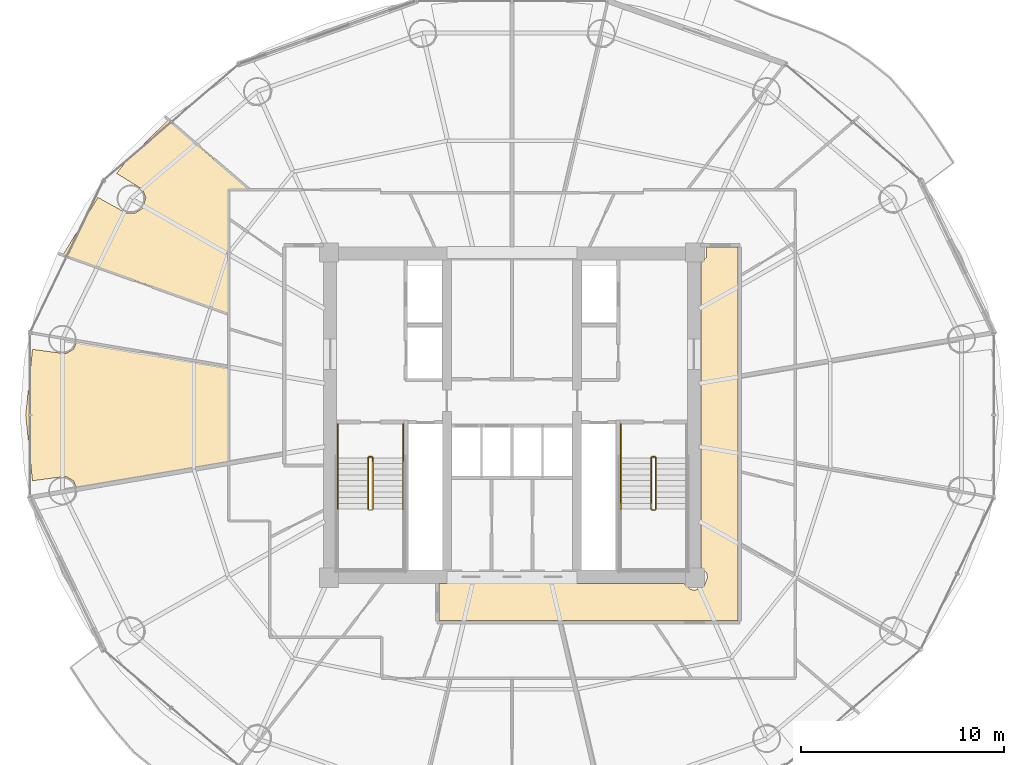
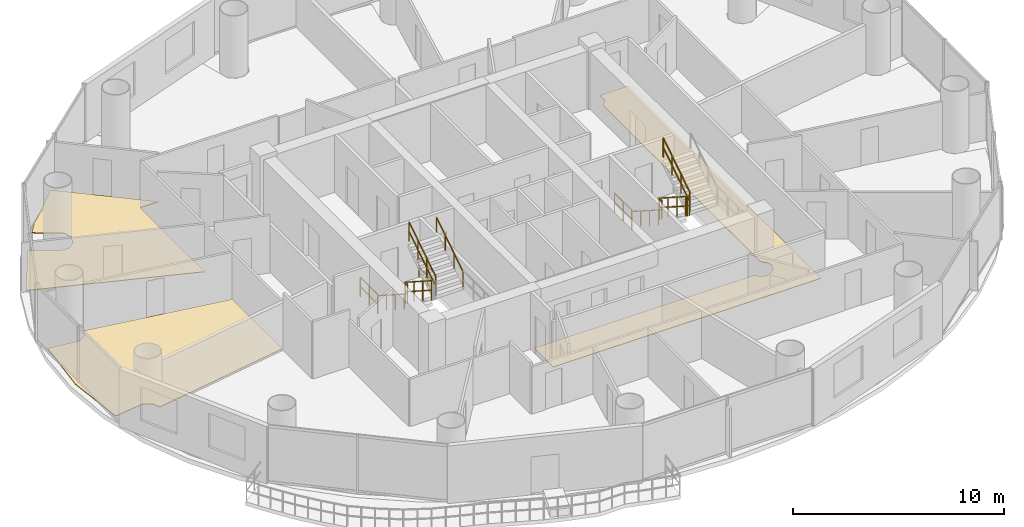
# One storey, part 25 of 26: 13 railings, 3 coverings.
"""IFC4 building model written with IfcOpenShell, lengths in metres."""

from ifc_helpers import new_model, si_unit, direction, frame, origin, origin_2d, place, context, subcontext, project, spatial, polyline, rectangle, outline, extrude, material, layer, layer_set, type_object, element, save


model = new_model("IFC4")

# Units and contexts
model_context = context("Model", 3, precision=1e-05, world=origin(), true_north=direction((-0.2419218956, 0.970295726276)))
body_context = subcontext(model_context, "Body", "Model", "MODEL_VIEW")
ifc_project = project(units=[si_unit("LENGTHUNIT", "METRE"), si_unit("AREAUNIT", "SQUARE_METRE"), si_unit("VOLUMEUNIT", "CUBIC_METRE"), si_unit("PLANEANGLEUNIT", "RADIAN"), si_unit("MASSUNIT", "GRAM", prefix="KILO")], contexts=[model_context])

# Site, building, storey
site_placement = place(None, origin())
site = spatial("IfcSite", under=ifc_project, at=site_placement, CompositionType="ELEMENT")
building_placement = place(site_placement, origin())
building = spatial("IfcBuilding", under=site, at=building_placement, Name="Cobrevalo Terracotta Tower", CompositionType="ELEMENT")
storey_placement = place(building_placement, frame((0.0, 0.0, 135.39990234375)))
storey = spatial("IfcBuildingStorey", under=building, at=storey_placement, Name="L35", CompositionType="ELEMENT", Elevation=135.39990234375)

# Coverings
ifc_material_1 = material(Name="Engineered Brazilian hardwood flooring", Category="wood")
ifc_layer_1 = layer(ifc_material_1, 0.028076171875)
ifc_layer_set_1 = layer_set([ifc_layer_1], Name="Engineered Brazilian hardwood flooring")
covering_type_1 = type_object("IfcCoveringType", Name="Engineered Hardwood Suite Flooring 28", PredefinedType="FLOORING", material=ifc_layer_set_1)
covering_1_placement = place(storey_placement, origin())
element("IfcCovering", 1, at=covering_1_placement, inside=storey, type_object=covering_type_1, Name="Flat L35B Master Bedroom floor finish", PredefinedType="FLOORING", context=body_context, shape_type="SweptSolid", body=[
    extrude(outline(polyline([(17.632568359375, 37.50634765625), (19.017822265625, 36.736572265625), (19.447265625, 36.725830078125), (19.810302734375, 36.955322265625), (19.988525390625, 37.4931640625), (19.834228515625, 37.89404296875), (18.551513671875, 38.6865234375), (19.02197265625, 39.29052734375), (21.0888671875, 41.308837890625), (25.049072265625, 37.905029296875), (24.044921875, 37.905029296875), (24.044921875, 31.78955078125), (15.918212890625, 34.6826171875), (17.632568359375, 37.50634765625)])), origin(), (0.0, 0.0, 1.0), 0.030029296875),
])
covering_2_placement = place(storey_placement, origin())
element("IfcCovering", 2, at=covering_2_placement, inside=storey, type_object=covering_type_1, Name="Flat L35B Penthouse Family Lounge floor finish", PredefinedType="FLOORING", context=body_context, shape_type="SweptSolid", body=[
    extrude(outline(polyline([(14.41357421875, 30.03369140625), (16.048583984375, 29.814697265625), (16.421630859375, 30.028076171875), (16.611572265625, 30.436279296875), (24.044921875, 29.16552734375), (24.044921875, 24.4345703125), (16.611572265625, 23.16357421875), (16.421630859375, 23.572021484375), (16.048583984375, 23.785400390625), (14.41357421875, 23.566162109375), (14.080078125, 26.800048828125), (14.41357421875, 30.03369140625)])), origin(), (0.0, 0.0, 1.0), 0.030029296875),
])
ifc_material_2 = material(Name="Honed terracotta and granite tile", Category="masonry")
ifc_layer_2 = layer(ifc_material_2, 0.034912109375)
ifc_layer_set_2 = layer_set([ifc_layer_2], Name="Honed terracotta and granite tile")
covering_type_2 = type_object("IfcCoveringType", Name="Honed Terracotta & Granite Interior Flooring 35", PredefinedType="FLOORING", material=ifc_layer_set_2)
covering_3_placement = place(storey_placement, origin())
element("IfcCovering", 3, at=covering_3_placement, inside=storey, type_object=covering_type_2, Name="L35 Residential Floor Corridor 1 floor finish", PredefinedType="FLOORING", context=body_context, shape_type="SweptSolid", body=[
    extrude(outline(polyline([(34.419921875, 18.5048828125), (46.46533203125, 18.5048828125), (46.7626953125, 18.226806640625), (47.0, 18.1796875), (47.438720703125, 18.361328125), (47.620361328125, 18.800048828125), (47.5732421875, 19.037353515625), (47.294921875, 19.334716796875), (47.294921875, 34.265380859375), (47.5732421875, 34.5625), (47.5615234375, 35.054931640625), (49.10498046875, 35.054931640625), (49.10498046875, 16.695068359375), (34.419921875, 16.695068359375), (34.419921875, 18.5048828125)])), origin(), (0.0, 0.0, 1.0), 0.030029296875),
])

# Railings
ifc_material_3 = material(Name="Brushed stainless steel", Category="steel")
railing_type_1 = type_object("IfcRailingType", Name="Stainless Steel Stair Handrail 900", PredefinedType="HANDRAIL", material=ifc_material_3)
railing_1_placement = place(storey_placement, frame((29.425048828125, 24.699951171875, 0.18017578125)))
element("IfcRailing", 4, at=railing_1_placement, inside=storey, type_object=railing_type_1, Name="L35 ST-1 stair handrail 1", PredefinedType="HANDRAIL", context=body_context, shape_type="SweptSolid", body=[
    extrude(rectangle(XDim=0.048095703125, YDim=0.048095703125, at=origin_2d()), frame((0.0, 0.0, 0.8759765625), z_axis=(0.0, -0.841199657755, 0.540724639528), x_axis=(1.0, 0.0, 0.0)), (0.0, 0.0, 1.0), 2.995849609375),
    extrude(rectangle(XDim=0.0419921875, YDim=0.0419921875, at=origin_2d()), origin(), (0.0, 0.0, 1.0), 0.851806640625),
    extrude(rectangle(XDim=0.0419921875, YDim=0.0419921875, at=origin_2d()), frame((0.0, -0.840087890625, 0.5400390625)), (0.0, 0.0, 1.0), 0.851806640625),
    extrude(rectangle(XDim=0.0419921875, YDim=0.0419921875, at=origin_2d()), frame((0.0, -1.679931640625, 1.079833984375)), (0.0, 0.0, 1.0), 0.851806640625),
    extrude(rectangle(XDim=0.0419921875, YDim=0.0419921875, at=origin_2d()), frame((0.0, -2.52001953125, 1.619873046875)), (0.0, 0.0, 1.0), 0.851806640625),
])
railing_2_placement = place(storey_placement, frame((32.64501953125, 22.179931640625, 1.97998046875)))
element("IfcRailing", 5, at=railing_2_placement, inside=storey, type_object=railing_type_1, Name="L35 ST-1 stair handrail 2", PredefinedType="HANDRAIL", context=body_context, shape_type="SweptSolid", body=[
    extrude(rectangle(XDim=0.048095703125, YDim=0.048095703125, at=origin_2d()), frame((0.0, 0.0, 0.8759765625), z_axis=(0.0, 0.841162588446, 0.540782303519), x_axis=(-1.0, 0.0, 0.0)), (0.0, 0.0, 1.0), 2.995849609375),
    extrude(rectangle(XDim=0.0419921875, YDim=0.0419921875, at=origin_2d()), origin(), (0.0, 0.0, 1.0), 0.851806640625),
    extrude(rectangle(XDim=0.0419921875, YDim=0.0419921875, at=origin_2d()), frame((0.0, 0.840087890625, 0.5400390625)), (0.0, 0.0, 1.0), 0.851806640625),
    extrude(rectangle(XDim=0.0419921875, YDim=0.0419921875, at=origin_2d()), frame((0.0, 1.679931640625, 1.080078125)), (0.0, 0.0, 1.0), 0.851806640625),
    extrude(rectangle(XDim=0.0419921875, YDim=0.0419921875, at=origin_2d()), frame((0.0, 2.52001953125, 1.6201171875)), (0.0, 0.0, 1.0), 0.851806640625),
])
railing_3_placement = place(storey_placement, frame((43.35498046875, 24.699951171875, 0.18017578125)))
element("IfcRailing", 6, at=railing_3_placement, inside=storey, type_object=railing_type_1, Name="L35 ST-2 stair handrail 1", PredefinedType="HANDRAIL", context=body_context, shape_type="SweptSolid", body=[
    extrude(rectangle(XDim=0.048095703125, YDim=0.048095703125, at=origin_2d()), frame((0.0, 0.0, 0.8759765625), z_axis=(0.0, -0.841199657755, 0.540724639528), x_axis=(1.0, 0.0, 0.0)), (0.0, 0.0, 1.0), 2.995849609375),
    extrude(rectangle(XDim=0.0419921875, YDim=0.0419921875, at=origin_2d()), origin(), (0.0, 0.0, 1.0), 0.851806640625),
    extrude(rectangle(XDim=0.0419921875, YDim=0.0419921875, at=origin_2d()), frame((0.0, -0.840087890625, 0.5400390625)), (0.0, 0.0, 1.0), 0.851806640625),
    extrude(rectangle(XDim=0.0419921875, YDim=0.0419921875, at=origin_2d()), frame((0.0, -1.679931640625, 1.079833984375)), (0.0, 0.0, 1.0), 0.851806640625),
    extrude(rectangle(XDim=0.0419921875, YDim=0.0419921875, at=origin_2d()), frame((0.0, -2.52001953125, 1.619873046875)), (0.0, 0.0, 1.0), 0.851806640625),
])
ifc_material_4 = material(Name="Painted galvanized steel", Category="steel")
railing_type_2 = type_object("IfcRailingType", Name="Stair Well Guard Balustrade 1150", PredefinedType="GUARDRAIL", material=ifc_material_4)
railing_4_placement = place(storey_placement, frame((30.925048828125, 24.699951171875, 0.18017578125)))
element("IfcRailing", 7, at=railing_4_placement, inside=storey, type_object=railing_type_2, Name="L35 ST-1 stair guard 1", PredefinedType="GUARDRAIL", context=body_context, shape_type="SweptSolid", body=[
    extrude(rectangle(XDim=0.048095703125, YDim=0.048095703125, at=origin_2d()), frame((0.0, 0.0, 1.1259765625), z_axis=(0.0, -0.841199657755, 0.540724639528), x_axis=(1.0, 0.0, 0.0)), (0.0, 0.0, 1.0), 2.995849609375),
    extrude(rectangle(XDim=0.048095703125, YDim=0.048095703125, at=origin_2d()), frame((0.0, 0.0, 0.574951171875), z_axis=(0.0, -0.841199657755, 0.540724639528), x_axis=(1.0, 0.0, 0.0)), (0.0, 0.0, 1.0), 2.995849609375),
    extrude(rectangle(XDim=0.0419921875, YDim=0.0419921875, at=origin_2d()), origin(), (0.0, 0.0, 1.0), 1.101806640625),
    extrude(rectangle(XDim=0.0419921875, YDim=0.0419921875, at=origin_2d()), frame((0.0, -0.840087890625, 0.5400390625)), (0.0, 0.0, 1.0), 1.101806640625),
    extrude(rectangle(XDim=0.0419921875, YDim=0.0419921875, at=origin_2d()), frame((0.0, -1.679931640625, 1.079833984375)), (0.0, 0.0, 1.0), 1.101806640625),
    extrude(rectangle(XDim=0.0419921875, YDim=0.0419921875, at=origin_2d()), frame((0.0, -2.52001953125, 1.619873046875)), (0.0, 0.0, 1.0), 1.101806640625),
])
railing_5_placement = place(storey_placement, frame((31.14501953125, 22.179931640625, 1.97998046875)))
element("IfcRailing", 8, at=railing_5_placement, inside=storey, type_object=railing_type_2, Name="L35 ST-1 stair guard 6", PredefinedType="GUARDRAIL", context=body_context, shape_type="SweptSolid", body=[
    extrude(rectangle(XDim=0.048095703125, YDim=0.048095703125, at=origin_2d()), frame((0.0, 0.0, 1.1259765625), z_axis=(0.0, 0.841162588446, 0.540782303519), x_axis=(-1.0, 0.0, 0.0)), (0.0, 0.0, 1.0), 2.995849609375),
    extrude(rectangle(XDim=0.048095703125, YDim=0.048095703125, at=origin_2d()), frame((0.0, 0.0, 0.574951171875), z_axis=(0.0, 0.841162588446, 0.540782303519), x_axis=(-1.0, 0.0, 0.0)), (0.0, 0.0, 1.0), 2.995849609375),
    extrude(rectangle(XDim=0.0419921875, YDim=0.0419921875, at=origin_2d()), origin(), (0.0, 0.0, 1.0), 1.101806640625),
    extrude(rectangle(XDim=0.0419921875, YDim=0.0419921875, at=origin_2d()), frame((0.0, 0.840087890625, 0.5400390625)), (0.0, 0.0, 1.0), 1.101806640625),
    extrude(rectangle(XDim=0.0419921875, YDim=0.0419921875, at=origin_2d()), frame((0.0, 1.679931640625, 1.080078125)), (0.0, 0.0, 1.0), 1.101806640625),
    extrude(rectangle(XDim=0.0419921875, YDim=0.0419921875, at=origin_2d()), frame((0.0, 2.52001953125, 1.6201171875)), (0.0, 0.0, 1.0), 1.101806640625),
])
railing_6_placement = place(storey_placement, frame((30.97509765625, 24.75, 0.0)))
element("IfcRailing", 9, at=railing_6_placement, inside=storey, type_object=railing_type_2, Name="L35 ST-1 stair guard 7", PredefinedType="GUARDRAIL", context=body_context, shape_type="SweptSolid", body=[
    extrude(rectangle(XDim=0.048095703125, YDim=0.048095703125, at=origin_2d()), frame((0.0, 0.0, 1.1259765625), z_axis=(1.0, 0.0, 0.0), x_axis=(0.0, 1.0, 0.0)), (0.0, 0.0, 1.0), 0.119873046875),
    extrude(rectangle(XDim=0.048095703125, YDim=0.048095703125, at=origin_2d()), frame((0.0, 0.0, 0.574951171875), z_axis=(1.0, 0.0, 0.0), x_axis=(0.0, 1.0, 0.0)), (0.0, 0.0, 1.0), 0.119873046875),
    extrude(rectangle(XDim=0.0419921875, YDim=0.0419921875, at=origin_2d()), origin(), (0.0, 0.0, 1.0), 1.101806640625),
    extrude(rectangle(XDim=0.0419921875, YDim=0.0419921875, at=origin_2d()), frame((0.119873046875, 0.0, 0.0)), (0.0, 0.0, 1.0), 1.101806640625),
])
for number, where, name in (
    (10, (29.425048828125, 26.35009765625, 0.0), "L35 ST-1 stair guard 8"),
    (11, (32.64501953125, 26.35009765625, 0.0), "L35 ST-1 stair guard 9"),
):
    element("IfcRailing", number, at=place(storey_placement, frame(where)), inside=storey, type_object=railing_type_2, Name=name, PredefinedType="GUARDRAIL", context=body_context, shape_type="SweptSolid", body=[
        extrude(rectangle(XDim=0.048095703125, YDim=0.048095703125, at=origin_2d()), frame((0.0, 0.0, 1.1259765625), z_axis=(0.0, -1.0, 0.0), x_axis=(1.0, 0.0, 0.0)), (0.0, 0.0, 1.0), 1.650146484375),
        extrude(rectangle(XDim=0.048095703125, YDim=0.048095703125, at=origin_2d()), frame((0.0, 0.0, 0.574951171875), z_axis=(0.0, -1.0, 0.0), x_axis=(1.0, 0.0, 0.0)), (0.0, 0.0, 1.0), 1.650146484375),
        extrude(rectangle(XDim=0.0419921875, YDim=0.0419921875, at=origin_2d()), origin(), (0.0, 0.0, 1.0), 1.101806640625),
        extrude(rectangle(XDim=0.0419921875, YDim=0.0419921875, at=origin_2d()), frame((0.0, -0.8251953125, 0.0)), (0.0, 0.0, 1.0), 1.101806640625),
        extrude(rectangle(XDim=0.0419921875, YDim=0.0419921875, at=origin_2d()), frame((0.0, -1.650146484375, 0.0)), (0.0, 0.0, 1.0), 1.101806640625),
    ])
railing_7_placement = place(storey_placement, frame((44.85498046875, 24.699951171875, 0.18017578125)))
element("IfcRailing", 12, at=railing_7_placement, inside=storey, type_object=railing_type_2, Name="L35 ST-2 stair guard 1", PredefinedType="GUARDRAIL", context=body_context, shape_type="SweptSolid", body=[
    extrude(rectangle(XDim=0.048095703125, YDim=0.048095703125, at=origin_2d()), frame((0.0, 0.0, 1.1259765625), z_axis=(0.0, -0.841199657755, 0.540724639528), x_axis=(1.0, 0.0, 0.0)), (0.0, 0.0, 1.0), 2.995849609375),
    extrude(rectangle(XDim=0.048095703125, YDim=0.048095703125, at=origin_2d()), frame((0.0, 0.0, 0.574951171875), z_axis=(0.0, -0.841199657755, 0.540724639528), x_axis=(1.0, 0.0, 0.0)), (0.0, 0.0, 1.0), 2.995849609375),
    extrude(rectangle(XDim=0.0419921875, YDim=0.0419921875, at=origin_2d()), origin(), (0.0, 0.0, 1.0), 1.101806640625),
    extrude(rectangle(XDim=0.0419921875, YDim=0.0419921875, at=origin_2d()), frame((0.0, -0.840087890625, 0.5400390625)), (0.0, 0.0, 1.0), 1.101806640625),
    extrude(rectangle(XDim=0.0419921875, YDim=0.0419921875, at=origin_2d()), frame((0.0, -1.679931640625, 1.079833984375)), (0.0, 0.0, 1.0), 1.101806640625),
    extrude(rectangle(XDim=0.0419921875, YDim=0.0419921875, at=origin_2d()), frame((0.0, -2.52001953125, 1.619873046875)), (0.0, 0.0, 1.0), 1.101806640625),
])
railing_8_placement = place(storey_placement, frame((44.905029296875, 22.1298828125, 1.800048828125)))
element("IfcRailing", 13, at=railing_8_placement, inside=storey, type_object=railing_type_2, Name="L35 ST-2 stair guard 2", PredefinedType="GUARDRAIL", context=body_context, shape_type="SweptSolid", body=[
    extrude(rectangle(XDim=0.048095703125, YDim=0.048095703125, at=origin_2d()), frame((0.0, 0.0, 1.1259765625), z_axis=(1.0, 0.0, 0.0), x_axis=(0.0, 1.0, 0.0)), (0.0, 0.0, 1.0), 0.119873046875),
    extrude(rectangle(XDim=0.048095703125, YDim=0.048095703125, at=origin_2d()), frame((0.0, 0.0, 0.574951171875), z_axis=(1.0, 0.0, 0.0), x_axis=(0.0, 1.0, 0.0)), (0.0, 0.0, 1.0), 0.119873046875),
    extrude(rectangle(XDim=0.0419921875, YDim=0.0419921875, at=origin_2d()), origin(), (0.0, 0.0, 1.0), 1.101806640625),
    extrude(rectangle(XDim=0.0419921875, YDim=0.0419921875, at=origin_2d()), frame((0.119873046875, 0.0, 0.0)), (0.0, 0.0, 1.0), 1.101806640625),
])
railing_9_placement = place(storey_placement, frame((45.074951171875, 22.179931640625, 1.97998046875)))
element("IfcRailing", 14, at=railing_9_placement, inside=storey, type_object=railing_type_2, Name="L35 ST-2 stair guard 6", PredefinedType="GUARDRAIL", context=body_context, shape_type="SweptSolid", body=[
    extrude(rectangle(XDim=0.048095703125, YDim=0.048095703125, at=origin_2d()), frame((0.0, 0.0, 1.1259765625), z_axis=(0.0, 0.841162588446, 0.540782303519), x_axis=(-1.0, 0.0, 0.0)), (0.0, 0.0, 1.0), 2.995849609375),
    extrude(rectangle(XDim=0.048095703125, YDim=0.048095703125, at=origin_2d()), frame((0.0, 0.0, 0.574951171875), z_axis=(0.0, 0.841162588446, 0.540782303519), x_axis=(-1.0, 0.0, 0.0)), (0.0, 0.0, 1.0), 2.995849609375),
    extrude(rectangle(XDim=0.0419921875, YDim=0.0419921875, at=origin_2d()), origin(), (0.0, 0.0, 1.0), 1.101806640625),
    extrude(rectangle(XDim=0.0419921875, YDim=0.0419921875, at=origin_2d()), frame((0.0, 0.840087890625, 0.5400390625)), (0.0, 0.0, 1.0), 1.101806640625),
    extrude(rectangle(XDim=0.0419921875, YDim=0.0419921875, at=origin_2d()), frame((0.0, 1.679931640625, 1.080078125)), (0.0, 0.0, 1.0), 1.101806640625),
    extrude(rectangle(XDim=0.0419921875, YDim=0.0419921875, at=origin_2d()), frame((0.0, 2.52001953125, 1.6201171875)), (0.0, 0.0, 1.0), 1.101806640625),
])
railing_10_placement = place(storey_placement, frame((44.905029296875, 24.75, 0.0)))
element("IfcRailing", 15, at=railing_10_placement, inside=storey, type_object=railing_type_2, Name="L35 ST-2 stair guard 7", PredefinedType="GUARDRAIL", context=body_context, shape_type="SweptSolid", body=[
    extrude(rectangle(XDim=0.048095703125, YDim=0.048095703125, at=origin_2d()), frame((0.0, 0.0, 1.1259765625), z_axis=(1.0, 0.0, 0.0), x_axis=(0.0, 1.0, 0.0)), (0.0, 0.0, 1.0), 0.119873046875),
    extrude(rectangle(XDim=0.048095703125, YDim=0.048095703125, at=origin_2d()), frame((0.0, 0.0, 0.574951171875), z_axis=(1.0, 0.0, 0.0), x_axis=(0.0, 1.0, 0.0)), (0.0, 0.0, 1.0), 0.119873046875),
    extrude(rectangle(XDim=0.0419921875, YDim=0.0419921875, at=origin_2d()), origin(), (0.0, 0.0, 1.0), 1.101806640625),
    extrude(rectangle(XDim=0.0419921875, YDim=0.0419921875, at=origin_2d()), frame((0.119873046875, 0.0, 0.0)), (0.0, 0.0, 1.0), 1.101806640625),
])
railing_11_placement = place(storey_placement, frame((43.35498046875, 26.35009765625, 0.0)))
element("IfcRailing", 16, at=railing_11_placement, inside=storey, type_object=railing_type_2, Name="L35 ST-2 stair guard 8", PredefinedType="GUARDRAIL", context=body_context, shape_type="SweptSolid", body=[
    extrude(rectangle(XDim=0.048095703125, YDim=0.048095703125, at=origin_2d()), frame((0.0, 0.0, 1.1259765625), z_axis=(0.0, -1.0, 0.0), x_axis=(1.0, 0.0, 0.0)), (0.0, 0.0, 1.0), 1.650146484375),
    extrude(rectangle(XDim=0.048095703125, YDim=0.048095703125, at=origin_2d()), frame((0.0, 0.0, 0.574951171875), z_axis=(0.0, -1.0, 0.0), x_axis=(1.0, 0.0, 0.0)), (0.0, 0.0, 1.0), 1.650146484375),
    extrude(rectangle(XDim=0.0419921875, YDim=0.0419921875, at=origin_2d()), origin(), (0.0, 0.0, 1.0), 1.101806640625),
    extrude(rectangle(XDim=0.0419921875, YDim=0.0419921875, at=origin_2d()), frame((0.0, -0.8251953125, 0.0)), (0.0, 0.0, 1.0), 1.101806640625),
    extrude(rectangle(XDim=0.0419921875, YDim=0.0419921875, at=origin_2d()), frame((0.0, -1.650146484375, 0.0)), (0.0, 0.0, 1.0), 1.101806640625),
])

save(model, "model.ifc")
